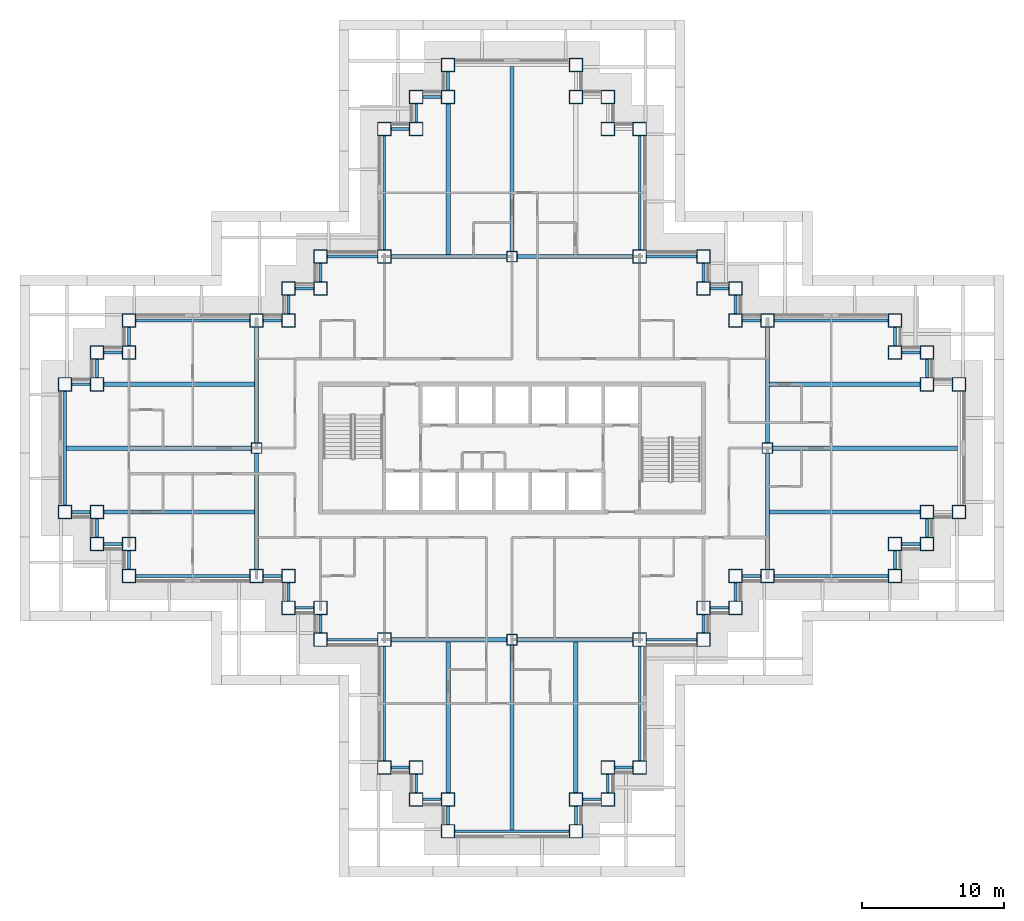
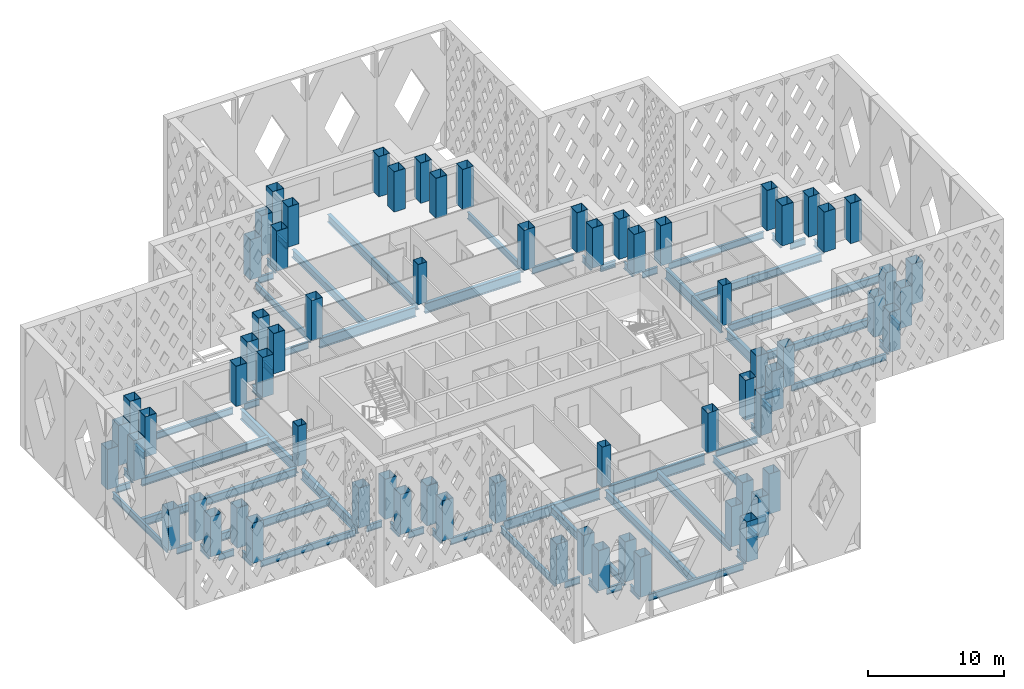
# One storey, part 1 of 19: 75 beams, 68 columns.
"""IFC4 building model written with IfcOpenShell, lengths in metres."""

from ifc_helpers import new_model, si_unit, direction, frame, origin, origin_2d, place, context, subcontext, project, spatial, hollow_rectangle, i_section, extrude, material, material_profile, profile_set, type_object, element, save


model = new_model("IFC4")

# Units and contexts
model_context = context("Model", 3, precision=1e-05, world=origin(), true_north=direction((0.0, 1.0)))
body_context = subcontext(model_context, "Body", "Model", "MODEL_VIEW")
ifc_project = project(units=[si_unit("LENGTHUNIT", "METRE"), si_unit("AREAUNIT", "SQUARE_METRE"), si_unit("VOLUMEUNIT", "CUBIC_METRE"), si_unit("PLANEANGLEUNIT", "RADIAN"), si_unit("MASSUNIT", "GRAM", prefix="KILO")], contexts=[model_context])

# Site, building, storey
site_placement = place(None, origin())
site = spatial("IfcSite", under=ifc_project, at=site_placement, CompositionType="ELEMENT")
building_placement = place(site_placement, origin())
building = spatial("IfcBuilding", under=site, at=building_placement, Name="Caravel Reach Hotel and Residences", CompositionType="ELEMENT")
storey_placement = place(building_placement, frame((0.0, 0.0, 85.199951171875)))
storey = spatial("IfcBuildingStorey", under=building, at=storey_placement, Name="L20", CompositionType="ELEMENT", Elevation=85.199951171875)

# Columns
ifc_material_1 = material(Name="Concrete-filled steel tube Q390B with Concrete C70 infill", Category="concrete")
ifc_material_profile_1 = material_profile(ifc_material_1, hollow_rectangle(XDim=0.75, YDim=0.75, WallThickness=0.02392578125, at=origin_2d()), Name="RHS 750x750x24")
ifc_profile_set_1 = profile_set([ifc_material_profile_1], Name="Concrete-filled steel tube Q390B with Concrete C70 infill")
column_type_1 = type_object("IfcColumnType", Name="CFT 750x750 Q390B C70", PredefinedType="COLUMN", material=ifc_profile_set_1)
for number, where, z_axis, x_axis, name in (
    (1, (31.5, 40.5, 0.0), (0.0, 0.0, 1.0), (1.0, 0.0, 0.0), "C16 column"),
    (2, (31.5, 13.5, 0.0), (0.0, 0.0, 1.0), (1.0, 0.0, 0.0), "C16 column"),
    (3, (13.5, 27.0, 0.0), (0.0, 0.0, 1.0), (1.0, 0.0, 0.0), "C16 column"),
    (4, (49.5, 27.0, 0.0), (0.0, 0.0, 1.0), (1.0, 0.0, 0.0), "C16 column"),
):
    element("IfcColumn", number, at=place(storey_placement, frame(where, z_axis=z_axis, x_axis=x_axis)), inside=storey, type_object=column_type_1, Name=name, PredefinedType="COLUMN", context=body_context, shape_type="SweptSolid", body=[
        extrude(hollow_rectangle(XDim=0.75, YDim=0.75, WallThickness=0.02392578125, at=origin_2d()), origin(), (0.0, 0.0, 1.0), 3.60009765625),
    ])
ifc_material_2 = material(Name="Concrete-filled steel tube Q390B with Concrete C70 infill", Category="concrete")
ifc_material_profile_2 = material_profile(ifc_material_2, hollow_rectangle(XDim=0.949951171875, YDim=0.949951171875, WallThickness=0.030029296875, at=origin_2d()), Name="RHS 950x950x30")
ifc_profile_set_2 = profile_set([ifc_material_profile_2], Name="Concrete-filled steel tube Q390B with Concrete C70 infill")
column_type_2 = type_object("IfcColumnType", Name="CFT 950x950 Q390B C70", PredefinedType="COLUMN", material=ifc_profile_set_2)
for number, where, z_axis, x_axis, name in (
    (5, (22.5, 4.5, 0.0), (0.0, 0.0, 1.0), (1.0, 0.0, 0.0), "C12 column"),
    (6, (24.75, 4.5, 0.0), (0.0, 0.0, 1.0), (1.0, 0.0, 0.0), "C12 column"),
    (7, (24.75, 2.25, 0.0), (0.0, 0.0, 1.0), (1.0, 0.0, 0.0), "C12 column"),
    (8, (27.0, 2.25, 0.0), (0.0, 0.0, 1.0), (1.0, 0.0, 0.0), "C12 column"),
    (9, (27.0, 0.0, 0.0), (0.0, 0.0, 1.0), (1.0, 0.0, 0.0), "C12 column"),
    (10, (36.0, 0.0, 0.0), (0.0, 0.0, 1.0), (1.0, 0.0, 0.0), "C12 column"),
    (11, (36.0, 2.25, 0.0), (0.0, 0.0, 1.0), (1.0, 0.0, 0.0), "C12 column"),
    (12, (38.25, 2.25, 0.0), (0.0, 0.0, 1.0), (1.0, 0.0, 0.0), "C12 column"),
    (13, (38.25, 4.5, 0.0), (0.0, 0.0, 1.0), (1.0, 0.0, 0.0), "C12 column"),
    (14, (40.5, 4.5, 0.0), (0.0, 0.0, 1.0), (1.0, 0.0, 0.0), "C12 column"),
    (15, (40.5, 13.5, 0.0), (0.0, 0.0, 1.0), (1.0, 0.0, 0.0), "C12 column"),
    (16, (45.0, 13.5, 0.0), (0.0, 0.0, 1.0), (1.0, 0.0, 0.0), "C12 column"),
    (17, (45.0, 15.75, 0.0), (0.0, 0.0, 1.0), (1.0, 0.0, 0.0), "C12 column"),
    (18, (47.25, 15.75, 0.0), (0.0, 0.0, 1.0), (1.0, 0.0, 0.0), "C12 column"),
    (19, (47.25, 18.0, 0.0), (0.0, 0.0, 1.0), (1.0, 0.0, 0.0), "C12 column"),
    (20, (49.5, 18.0, 0.0), (0.0, 0.0, 1.0), (1.0, 0.0, 0.0), "C12 column"),
    (21, (58.5, 18.0, 0.0), (0.0, 0.0, 1.0), (1.0, 0.0, 0.0), "C12 column"),
    (22, (58.5, 20.25, 0.0), (0.0, 0.0, 1.0), (1.0, 0.0, 0.0), "C12 column"),
    (23, (60.75, 20.25, 0.0), (0.0, 0.0, 1.0), (1.0, 0.0, 0.0), "C12 column"),
    (24, (60.75, 22.5, 0.0), (0.0, 0.0, 1.0), (1.0, 0.0, 0.0), "C12 column"),
    (25, (63.0, 22.5, 0.0), (0.0, 0.0, 1.0), (1.0, 0.0, 0.0), "C12 column"),
    (26, (63.0, 31.5, 0.0), (0.0, 0.0, 1.0), (1.0, 0.0, 0.0), "C12 column"),
    (27, (60.75, 31.5, 0.0), (0.0, 0.0, 1.0), (1.0, 0.0, 0.0), "C12 column"),
    (28, (60.75, 33.75, 0.0), (0.0, 0.0, 1.0), (1.0, 0.0, 0.0), "C12 column"),
    (29, (58.5, 33.75, 0.0), (0.0, 0.0, 1.0), (1.0, 0.0, 0.0), "C12 column"),
    (30, (58.5, 36.0, 0.0), (0.0, 0.0, 1.0), (1.0, 0.0, 0.0), "C12 column"),
    (31, (49.5, 36.0, 0.0), (0.0, 0.0, 1.0), (1.0, 0.0, 0.0), "C12 column"),
    (32, (47.25, 36.0, 0.0), (0.0, 0.0, 1.0), (1.0, 0.0, 0.0), "C12 column"),
    (33, (47.25, 38.25, 0.0), (0.0, 0.0, 1.0), (1.0, 0.0, 0.0), "C12 column"),
    (34, (45.0, 38.25, 0.0), (0.0, 0.0, 1.0), (1.0, 0.0, 0.0), "C12 column"),
    (35, (45.0, 40.5, 0.0), (0.0, 0.0, 1.0), (1.0, 0.0, 0.0), "C12 column"),
    (36, (40.5, 40.5, 0.0), (0.0, 0.0, 1.0), (1.0, 0.0, 0.0), "C12 column"),
    (37, (40.5, 49.5, 0.0), (0.0, 0.0, 1.0), (1.0, 0.0, 0.0), "C12 column"),
    (38, (38.25, 49.5, 0.0), (0.0, 0.0, 1.0), (1.0, 0.0, 0.0), "C12 column"),
    (39, (38.25, 51.75, 0.0), (0.0, 0.0, 1.0), (1.0, 0.0, 0.0), "C12 column"),
    (40, (36.0, 51.75, 0.0), (0.0, 0.0, 1.0), (1.0, 0.0, 0.0), "C12 column"),
    (41, (36.0, 54.0, 0.0), (0.0, 0.0, 1.0), (1.0, 0.0, 0.0), "C12 column"),
    (42, (27.0, 54.0, 0.0), (0.0, 0.0, 1.0), (1.0, 0.0, 0.0), "C12 column"),
    (43, (27.0, 51.75, 0.0), (0.0, 0.0, 1.0), (1.0, 0.0, 0.0), "C12 column"),
    (44, (24.75, 51.75, 0.0), (0.0, 0.0, 1.0), (1.0, 0.0, 0.0), "C12 column"),
    (45, (24.75, 49.5, 0.0), (0.0, 0.0, 1.0), (1.0, 0.0, 0.0), "C12 column"),
    (46, (22.5, 49.5, 0.0), (0.0, 0.0, 1.0), (1.0, 0.0, 0.0), "C12 column"),
    (47, (22.5, 40.5, 0.0), (0.0, 0.0, 1.0), (1.0, 0.0, 0.0), "C12 column"),
    (48, (18.0, 40.5, 0.0), (0.0, 0.0, 1.0), (1.0, 0.0, 0.0), "C12 column"),
    (49, (18.0, 38.25, 0.0), (0.0, 0.0, 1.0), (1.0, 0.0, 0.0), "C12 column"),
    (50, (15.75, 38.25, 0.0), (0.0, 0.0, 1.0), (1.0, 0.0, 0.0), "C12 column"),
    (51, (15.75, 36.0, 0.0), (0.0, 0.0, 1.0), (1.0, 0.0, 0.0), "C12 column"),
    (52, (13.5, 36.0, 0.0), (0.0, 0.0, 1.0), (1.0, 0.0, 0.0), "C12 column"),
    (53, (4.5, 36.0, 0.0), (0.0, 0.0, 1.0), (1.0, 0.0, 0.0), "C12 column"),
    (54, (4.5, 33.75, 0.0), (0.0, 0.0, 1.0), (1.0, 0.0, 0.0), "C12 column"),
    (55, (2.25, 33.75, 0.0), (0.0, 0.0, 1.0), (1.0, 0.0, 0.0), "C12 column"),
    (56, (2.25, 31.5, 0.0), (0.0, 0.0, 1.0), (1.0, 0.0, 0.0), "C12 column"),
    (57, (0.0, 31.5, 0.0), (0.0, 0.0, 1.0), (1.0, 0.0, 0.0), "C12 column"),
    (58, (0.0, 22.5, 0.0), (0.0, 0.0, 1.0), (1.0, 0.0, 0.0), "C12 column"),
    (59, (2.25, 22.5, 0.0), (0.0, 0.0, 1.0), (1.0, 0.0, 0.0), "C12 column"),
    (60, (2.25, 20.25, 0.0), (0.0, 0.0, 1.0), (1.0, 0.0, 0.0), "C12 column"),
    (61, (4.5, 20.25, 0.0), (0.0, 0.0, 1.0), (1.0, 0.0, 0.0), "C12 column"),
    (62, (4.5, 18.0, 0.0), (0.0, 0.0, 1.0), (1.0, 0.0, 0.0), "C12 column"),
    (63, (13.5, 18.0, 0.0), (0.0, 0.0, 1.0), (1.0, 0.0, 0.0), "C12 column"),
    (64, (15.75, 18.0, 0.0), (0.0, 0.0, 1.0), (1.0, 0.0, 0.0), "C12 column"),
    (65, (15.75, 15.75, 0.0), (0.0, 0.0, 1.0), (1.0, 0.0, 0.0), "C12 column"),
    (66, (18.0, 15.75, 0.0), (0.0, 0.0, 1.0), (1.0, 0.0, 0.0), "C12 column"),
    (67, (18.0, 13.5, 0.0), (0.0, 0.0, 1.0), (1.0, 0.0, 0.0), "C12 column"),
    (68, (22.5, 13.5, 0.0), (0.0, 0.0, 1.0), (1.0, 0.0, 0.0), "C12 column"),
):
    element("IfcColumn", number, at=place(storey_placement, frame(where, z_axis=z_axis, x_axis=x_axis)), inside=storey, type_object=column_type_2, Name=name, PredefinedType="COLUMN", context=body_context, shape_type="SweptSolid", body=[
        extrude(hollow_rectangle(XDim=0.949951171875, YDim=0.949951171875, WallThickness=0.030029296875, at=origin_2d()), origin(), (0.0, 0.0, 1.0), 3.60009765625),
    ])

# Beams
ifc_material_3 = material(Name="Structural steel Q355B", Category="steel")
ifc_material_profile_3 = material_profile(ifc_material_3, i_section(OverallWidth=0.300048828125, OverallDepth=0.699951171875, WebThickness=0.012939453125, FlangeThickness=0.02392578125, FilletRadius=0.01806640625, at=origin_2d()), Name="HN 700x300x13x24")
ifc_profile_set_3 = profile_set([ifc_material_profile_3], Name="Structural steel Q355B")
beam_type_1 = type_object("IfcBeamType", Name="Beam HN 700x300x13x24", PredefinedType="BEAM", material=ifc_profile_set_3)
beam_1_placement = place(storey_placement, frame((27.0, 40.60009765625, -0.64990234375), z_axis=(0.0, 1.0, 0.0), x_axis=(-1.0, 0.0, 0.0)))
element("IfcBeam", 69, at=beam_1_placement, inside=storey, type_object=beam_type_1, Name="B2 HN 700x300x13x24", PredefinedType="BEAM", context=body_context, shape_type="SweptSolid", body=[
    extrude(i_section(OverallWidth=0.300048828125, OverallDepth=0.699951171875, WebThickness=0.012939453125, FlangeThickness=0.02392578125, FilletRadius=0.01806640625, at=origin_2d()), origin(), (0.0, 0.0, 1.0), 10.724853515625),
])
beam_2_placement = place(storey_placement, frame((31.5, 40.824951171875, -0.64990234375), z_axis=(0.0, 1.0, 0.0), x_axis=(-1.0, 0.0, 0.0)))
element("IfcBeam", 70, at=beam_2_placement, inside=storey, type_object=beam_type_1, Name="B2 HN 700x300x13x24", PredefinedType="BEAM", context=body_context, shape_type="SweptSolid", body=[
    extrude(i_section(OverallWidth=0.300048828125, OverallDepth=0.699951171875, WebThickness=0.012939453125, FlangeThickness=0.02392578125, FilletRadius=0.01806640625, at=origin_2d()), origin(), (0.0, 0.0, 1.0), 13.074951171875),
])
beam_3_placement = place(storey_placement, frame((27.0, 13.39990234375, -0.64990234375), z_axis=(0.0, -1.0, 0.0), x_axis=(1.0, 0.0, 0.0)))
element("IfcBeam", 71, at=beam_3_placement, inside=storey, type_object=beam_type_1, Name="B2 HN 700x300x13x24", PredefinedType="BEAM", context=body_context, shape_type="SweptSolid", body=[
    extrude(i_section(OverallWidth=0.300048828125, OverallDepth=0.699951171875, WebThickness=0.012939453125, FlangeThickness=0.02392578125, FilletRadius=0.01806640625, at=origin_2d()), origin(), (0.0, 0.0, 1.0), 10.724853515625),
])
beam_4_placement = place(storey_placement, frame((31.5, 13.175048828125, -0.64990234375), z_axis=(0.0, -1.0, 0.0), x_axis=(1.0, 0.0, 0.0)))
element("IfcBeam", 72, at=beam_4_placement, inside=storey, type_object=beam_type_1, Name="B2 HN 700x300x13x24", PredefinedType="BEAM", context=body_context, shape_type="SweptSolid", body=[
    extrude(i_section(OverallWidth=0.300048828125, OverallDepth=0.699951171875, WebThickness=0.012939453125, FlangeThickness=0.02392578125, FilletRadius=0.01806640625, at=origin_2d()), origin(), (0.0, 0.0, 1.0), 13.074951171875),
])
for number, where, z_axis, x_axis, name in (
    (73, (36.0, 13.39990234375, -0.64990234375), (0.0, -1.0, 0.0), (1.0, 0.0, 0.0), "B2 HN 700x300x13x24"),
    (74, (49.60009765625, 22.5, -0.64990234375), (1.0, 0.0, 0.0), (0.0, 1.0, 0.0), "B2 HN 700x300x13x24"),
):
    element("IfcBeam", number, at=place(storey_placement, frame(where, z_axis=z_axis, x_axis=x_axis)), inside=storey, type_object=beam_type_1, Name=name, PredefinedType="BEAM", context=body_context, shape_type="SweptSolid", body=[
        extrude(i_section(OverallWidth=0.300048828125, OverallDepth=0.699951171875, WebThickness=0.012939453125, FlangeThickness=0.02392578125, FilletRadius=0.01806640625, at=origin_2d()), origin(), (0.0, 0.0, 1.0), 10.724853515625),
    ])
beam_5_placement = place(storey_placement, frame((49.824951171875, 27.0, -0.64990234375), z_axis=(1.0, 0.0, 0.0), x_axis=(0.0, 1.0, 0.0)))
element("IfcBeam", 75, at=beam_5_placement, inside=storey, type_object=beam_type_1, Name="B2 HN 700x300x13x24", PredefinedType="BEAM", context=body_context, shape_type="SweptSolid", body=[
    extrude(i_section(OverallWidth=0.300048828125, OverallDepth=0.699951171875, WebThickness=0.012939453125, FlangeThickness=0.02392578125, FilletRadius=0.01806640625, at=origin_2d()), origin(), (0.0, 0.0, 1.0), 13.074951171875),
])
for number, where, z_axis, x_axis, name in (
    (76, (49.60009765625, 31.5, -0.64990234375), (1.0, 0.0, 0.0), (0.0, 1.0, 0.0), "B2 HN 700x300x13x24"),
    (77, (13.39990234375, 22.5, -0.64990234375), (-1.0, 0.0, 0.0), (0.0, -1.0, 0.0), "B2 HN 700x300x13x24"),
):
    element("IfcBeam", number, at=place(storey_placement, frame(where, z_axis=z_axis, x_axis=x_axis)), inside=storey, type_object=beam_type_1, Name=name, PredefinedType="BEAM", context=body_context, shape_type="SweptSolid", body=[
        extrude(i_section(OverallWidth=0.300048828125, OverallDepth=0.699951171875, WebThickness=0.012939453125, FlangeThickness=0.02392578125, FilletRadius=0.01806640625, at=origin_2d()), origin(), (0.0, 0.0, 1.0), 10.724853515625),
    ])
beam_6_placement = place(storey_placement, frame((13.175048828125, 27.0, -0.64990234375), z_axis=(-1.0, 0.0, 0.0), x_axis=(0.0, -1.0, 0.0)))
element("IfcBeam", 78, at=beam_6_placement, inside=storey, type_object=beam_type_1, Name="B2 HN 700x300x13x24", PredefinedType="BEAM", context=body_context, shape_type="SweptSolid", body=[
    extrude(i_section(OverallWidth=0.300048828125, OverallDepth=0.699951171875, WebThickness=0.012939453125, FlangeThickness=0.02392578125, FilletRadius=0.01806640625, at=origin_2d()), origin(), (0.0, 0.0, 1.0), 13.074951171875),
])
beam_7_placement = place(storey_placement, frame((13.39990234375, 31.5, -0.64990234375), z_axis=(-1.0, 0.0, 0.0), x_axis=(0.0, -1.0, 0.0)))
element("IfcBeam", 79, at=beam_7_placement, inside=storey, type_object=beam_type_1, Name="B2 HN 700x300x13x24", PredefinedType="BEAM", context=body_context, shape_type="SweptSolid", body=[
    extrude(i_section(OverallWidth=0.300048828125, OverallDepth=0.699951171875, WebThickness=0.012939453125, FlangeThickness=0.02392578125, FilletRadius=0.01806640625, at=origin_2d()), origin(), (0.0, 0.0, 1.0), 10.724853515625),
])
ifc_material_4 = material(Name="Structural steel Q355B", Category="steel")
ifc_material_profile_4 = material_profile(ifc_material_4, i_section(OverallWidth=0.300048828125, OverallDepth=0.89990234375, WebThickness=0.01611328125, FlangeThickness=0.028076171875, FilletRadius=0.01806640625, at=origin_2d()), Name="HN 900x300x16x28")
ifc_profile_set_4 = profile_set([ifc_material_profile_4], Name="Structural steel Q355B")
beam_type_2 = type_object("IfcBeamType", Name="Beam HN 900x300x16x28", PredefinedType="BEAM", material=ifc_profile_set_4)
for number, where, z_axis, x_axis, name in (
    (80, (22.97509765625, 40.5, -0.75), (1.0, 0.0, 0.0), (0.0, 1.0, 0.0), "B3 HN 900x300x16x28"),
    (81, (31.875, 40.5, -0.75), (1.0, 0.0, 0.0), (0.0, 1.0, 0.0), "B3 HN 900x300x16x28"),
    (82, (22.97509765625, 13.5, -0.75), (1.0, 0.0, 0.0), (0.0, 1.0, 0.0), "B3 HN 900x300x16x28"),
    (83, (31.875, 13.5, -0.75), (1.0, 0.0, 0.0), (0.0, 1.0, 0.0), "B3 HN 900x300x16x28"),
    (84, (13.5, 18.47509765625, -0.75), (0.0, 1.0, 0.0), (-1.0, 0.0, 0.0), "B3 HN 900x300x16x28"),
    (85, (13.5, 27.375, -0.75), (0.0, 1.0, 0.0), (-1.0, 0.0, 0.0), "B3 HN 900x300x16x28"),
    (86, (49.5, 18.47509765625, -0.75), (0.0, 1.0, 0.0), (-1.0, 0.0, 0.0), "B3 HN 900x300x16x28"),
    (87, (49.5, 27.375, -0.75), (0.0, 1.0, 0.0), (-1.0, 0.0, 0.0), "B3 HN 900x300x16x28"),
):
    element("IfcBeam", number, at=place(storey_placement, frame(where, z_axis=z_axis, x_axis=x_axis)), inside=storey, type_object=beam_type_2, Name=name, PredefinedType="BEAM", context=body_context, shape_type="SweptSolid", body=[
        extrude(i_section(OverallWidth=0.300048828125, OverallDepth=0.89990234375, WebThickness=0.01611328125, FlangeThickness=0.028076171875, FilletRadius=0.01806640625, at=origin_2d()), origin(), (0.0, 0.0, 1.0), 8.14990234375),
    ])
ifc_material_5 = material(Name="Structural steel Q355B", Category="steel")
ifc_material_profile_5 = material_profile(ifc_material_5, i_section(OverallWidth=0.199951171875, OverallDepth=0.60009765625, WebThickness=0.010986328125, FlangeThickness=0.01708984375, FilletRadius=0.012939453125, at=origin_2d()), Name="HN 600x200x11x17")
ifc_profile_set_5 = profile_set([ifc_material_profile_5], Name="Structural steel Q355B")
beam_type_3 = type_object("IfcBeamType", Name="Spandrel beam HN 600x200x11x17", PredefinedType="SPANDREL", material=ifc_profile_set_5)
for number, where, z_axis, x_axis, name in (
    (88, (22.97509765625, 4.5, -0.599853515625), (1.0, 0.0, 0.0), (0.0, 1.0, 0.0), "SP1 HN 600x200x11x17"),
    (89, (24.75, 4.02490234375, -0.599853515625), (0.0, -1.0, 0.0), (1.0, 0.0, 0.0), "SP1 HN 600x200x11x17"),
    (90, (25.22509765625, 2.25, -0.599853515625), (1.0, 0.0, 0.0), (0.0, 1.0, 0.0), "SP1 HN 600x200x11x17"),
    (91, (27.0, 1.77490234375, -0.599853515625), (0.0, -1.0, 0.0), (1.0, 0.0, 0.0), "SP1 HN 600x200x11x17"),
):
    element("IfcBeam", number, at=place(storey_placement, frame(where, z_axis=z_axis, x_axis=x_axis)), inside=storey, type_object=beam_type_3, Name=name, PredefinedType="SPANDREL", context=body_context, shape_type="SweptSolid", body=[
        extrude(i_section(OverallWidth=0.199951171875, OverallDepth=0.60009765625, WebThickness=0.010986328125, FlangeThickness=0.01708984375, FilletRadius=0.012939453125, at=origin_2d()), origin(), (0.0, 0.0, 1.0), 1.2998046875),
    ])
beam_8_placement = place(storey_placement, frame((27.47509765625, 0.0, -0.599853515625), z_axis=(1.0, 0.0, 0.0), x_axis=(0.0, 1.0, 0.0)))
element("IfcBeam", 92, at=beam_8_placement, inside=storey, type_object=beam_type_3, Name="SP1 HN 600x200x11x17", PredefinedType="SPANDREL", context=body_context, shape_type="SweptSolid", body=[
    extrude(i_section(OverallWidth=0.199951171875, OverallDepth=0.60009765625, WebThickness=0.010986328125, FlangeThickness=0.01708984375, FilletRadius=0.012939453125, at=origin_2d()), origin(), (0.0, 0.0, 1.0), 8.0498046875),
])
for number, where, z_axis, x_axis, name in (
    (93, (36.0, 0.47509765625, -0.599853515625), (0.0, 1.0, 0.0), (-1.0, 0.0, 0.0), "SP1 HN 600x200x11x17"),
    (94, (36.47509765625, 2.25, -0.599853515625), (1.0, 0.0, 0.0), (0.0, 1.0, 0.0), "SP1 HN 600x200x11x17"),
    (95, (38.25, 2.72509765625, -0.599853515625), (0.0, 1.0, 0.0), (-1.0, 0.0, 0.0), "SP1 HN 600x200x11x17"),
    (96, (38.72509765625, 4.5, -0.599853515625), (1.0, 0.0, 0.0), (0.0, 1.0, 0.0), "SP1 HN 600x200x11x17"),
):
    element("IfcBeam", number, at=place(storey_placement, frame(where, z_axis=z_axis, x_axis=x_axis)), inside=storey, type_object=beam_type_3, Name=name, PredefinedType="SPANDREL", context=body_context, shape_type="SweptSolid", body=[
        extrude(i_section(OverallWidth=0.199951171875, OverallDepth=0.60009765625, WebThickness=0.010986328125, FlangeThickness=0.01708984375, FilletRadius=0.012939453125, at=origin_2d()), origin(), (0.0, 0.0, 1.0), 1.2998046875),
    ])
beam_9_placement = place(storey_placement, frame((40.5, 4.97509765625, -0.599853515625), z_axis=(0.0, 1.0, 0.0), x_axis=(-1.0, 0.0, 0.0)))
element("IfcBeam", 97, at=beam_9_placement, inside=storey, type_object=beam_type_3, Name="SP1 HN 600x200x11x17", PredefinedType="SPANDREL", context=body_context, shape_type="SweptSolid", body=[
    extrude(i_section(OverallWidth=0.199951171875, OverallDepth=0.60009765625, WebThickness=0.010986328125, FlangeThickness=0.01708984375, FilletRadius=0.012939453125, at=origin_2d()), origin(), (0.0, 0.0, 1.0), 8.0498046875),
])
beam_10_placement = place(storey_placement, frame((40.97509765625, 13.5, -0.599853515625), z_axis=(1.0, 0.0, 0.0), x_axis=(0.0, 1.0, 0.0)))
element("IfcBeam", 98, at=beam_10_placement, inside=storey, type_object=beam_type_3, Name="SP1 HN 600x200x11x17", PredefinedType="SPANDREL", context=body_context, shape_type="SweptSolid", body=[
    extrude(i_section(OverallWidth=0.199951171875, OverallDepth=0.60009765625, WebThickness=0.010986328125, FlangeThickness=0.01708984375, FilletRadius=0.012939453125, at=origin_2d()), origin(), (0.0, 0.0, 1.0), 3.5498046875),
])
for number, where, z_axis, x_axis, name in (
    (99, (45.0, 13.97509765625, -0.599853515625), (0.0, 1.0, 0.0), (-1.0, 0.0, 0.0), "SP1 HN 600x200x11x17"),
    (100, (45.47509765625, 15.75, -0.599853515625), (1.0, 0.0, 0.0), (0.0, 1.0, 0.0), "SP1 HN 600x200x11x17"),
    (101, (47.25, 16.22509765625, -0.599853515625), (0.0, 1.0, 0.0), (-1.0, 0.0, 0.0), "SP1 HN 600x200x11x17"),
    (102, (47.72509765625, 18.0, -0.599853515625), (1.0, 0.0, 0.0), (0.0, 1.0, 0.0), "SP1 HN 600x200x11x17"),
):
    element("IfcBeam", number, at=place(storey_placement, frame(where, z_axis=z_axis, x_axis=x_axis)), inside=storey, type_object=beam_type_3, Name=name, PredefinedType="SPANDREL", context=body_context, shape_type="SweptSolid", body=[
        extrude(i_section(OverallWidth=0.199951171875, OverallDepth=0.60009765625, WebThickness=0.010986328125, FlangeThickness=0.01708984375, FilletRadius=0.012939453125, at=origin_2d()), origin(), (0.0, 0.0, 1.0), 1.2998046875),
    ])
beam_11_placement = place(storey_placement, frame((49.97509765625, 18.0, -0.599853515625), z_axis=(1.0, 0.0, 0.0), x_axis=(0.0, 1.0, 0.0)))
element("IfcBeam", 103, at=beam_11_placement, inside=storey, type_object=beam_type_3, Name="SP1 HN 600x200x11x17", PredefinedType="SPANDREL", context=body_context, shape_type="SweptSolid", body=[
    extrude(i_section(OverallWidth=0.199951171875, OverallDepth=0.60009765625, WebThickness=0.010986328125, FlangeThickness=0.01708984375, FilletRadius=0.012939453125, at=origin_2d()), origin(), (0.0, 0.0, 1.0), 8.0498046875),
])
for number, where, z_axis, x_axis, name in (
    (104, (58.5, 18.47509765625, -0.599853515625), (0.0, 1.0, 0.0), (-1.0, 0.0, 0.0), "SP1 HN 600x200x11x17"),
    (105, (58.97509765625, 20.25, -0.599853515625), (1.0, 0.0, 0.0), (0.0, 1.0, 0.0), "SP1 HN 600x200x11x17"),
    (106, (60.75, 20.72509765625, -0.599853515625), (0.0, 1.0, 0.0), (-1.0, 0.0, 0.0), "SP1 HN 600x200x11x17"),
    (107, (60.75, 31.97509765625, -0.599853515625), (0.0, 1.0, 0.0), (-1.0, 0.0, 0.0), "SP1 HN 600x200x11x17"),
    (108, (60.27490234375, 33.75, -0.599853515625), (-1.0, 0.0, 0.0), (0.0, -1.0, 0.0), "SP1 HN 600x200x11x17"),
    (109, (58.5, 34.22509765625, -0.599853515625), (0.0, 1.0, 0.0), (-1.0, 0.0, 0.0), "SP1 HN 600x200x11x17"),
):
    element("IfcBeam", number, at=place(storey_placement, frame(where, z_axis=z_axis, x_axis=x_axis)), inside=storey, type_object=beam_type_3, Name=name, PredefinedType="SPANDREL", context=body_context, shape_type="SweptSolid", body=[
        extrude(i_section(OverallWidth=0.199951171875, OverallDepth=0.60009765625, WebThickness=0.010986328125, FlangeThickness=0.01708984375, FilletRadius=0.012939453125, at=origin_2d()), origin(), (0.0, 0.0, 1.0), 1.2998046875),
    ])
beam_12_placement = place(storey_placement, frame((58.02490234375, 36.0, -0.599853515625), z_axis=(-1.0, 0.0, 0.0), x_axis=(0.0, -1.0, 0.0)))
element("IfcBeam", 110, at=beam_12_placement, inside=storey, type_object=beam_type_3, Name="SP1 HN 600x200x11x17", PredefinedType="SPANDREL", context=body_context, shape_type="SweptSolid", body=[
    extrude(i_section(OverallWidth=0.199951171875, OverallDepth=0.60009765625, WebThickness=0.010986328125, FlangeThickness=0.01708984375, FilletRadius=0.012939453125, at=origin_2d()), origin(), (0.0, 0.0, 1.0), 8.0498046875),
])
for number, where, z_axis, x_axis, name in (
    (111, (49.02490234375, 36.0, -0.599853515625), (-1.0, 0.0, 0.0), (0.0, -1.0, 0.0), "SP1 HN 600x200x11x17"),
    (112, (47.25, 36.47509765625, -0.599853515625), (0.0, 1.0, 0.0), (-1.0, 0.0, 0.0), "SP1 HN 600x200x11x17"),
    (113, (46.77490234375, 38.25, -0.599853515625), (-1.0, 0.0, 0.0), (0.0, -1.0, 0.0), "SP1 HN 600x200x11x17"),
    (114, (45.0, 38.72509765625, -0.599853515625), (0.0, 1.0, 0.0), (-1.0, 0.0, 0.0), "SP1 HN 600x200x11x17"),
):
    element("IfcBeam", number, at=place(storey_placement, frame(where, z_axis=z_axis, x_axis=x_axis)), inside=storey, type_object=beam_type_3, Name=name, PredefinedType="SPANDREL", context=body_context, shape_type="SweptSolid", body=[
        extrude(i_section(OverallWidth=0.199951171875, OverallDepth=0.60009765625, WebThickness=0.010986328125, FlangeThickness=0.01708984375, FilletRadius=0.012939453125, at=origin_2d()), origin(), (0.0, 0.0, 1.0), 1.2998046875),
    ])
beam_13_placement = place(storey_placement, frame((44.52490234375, 40.5, -0.599853515625), z_axis=(-1.0, 0.0, 0.0), x_axis=(0.0, -1.0, 0.0)))
element("IfcBeam", 115, at=beam_13_placement, inside=storey, type_object=beam_type_3, Name="SP1 HN 600x200x11x17", PredefinedType="SPANDREL", context=body_context, shape_type="SweptSolid", body=[
    extrude(i_section(OverallWidth=0.199951171875, OverallDepth=0.60009765625, WebThickness=0.010986328125, FlangeThickness=0.01708984375, FilletRadius=0.012939453125, at=origin_2d()), origin(), (0.0, 0.0, 1.0), 3.5498046875),
])
beam_14_placement = place(storey_placement, frame((40.5, 40.97509765625, -0.599853515625), z_axis=(0.0, 1.0, 0.0), x_axis=(-1.0, 0.0, 0.0)))
element("IfcBeam", 116, at=beam_14_placement, inside=storey, type_object=beam_type_3, Name="SP1 HN 600x200x11x17", PredefinedType="SPANDREL", context=body_context, shape_type="SweptSolid", body=[
    extrude(i_section(OverallWidth=0.199951171875, OverallDepth=0.60009765625, WebThickness=0.010986328125, FlangeThickness=0.01708984375, FilletRadius=0.012939453125, at=origin_2d()), origin(), (0.0, 0.0, 1.0), 8.0498046875),
])
for number, where, z_axis, x_axis, name in (
    (117, (27.0, 53.52490234375, -0.599853515625), (0.0, -1.0, 0.0), (1.0, 0.0, 0.0), "SP1 HN 600x200x11x17"),
    (118, (26.52490234375, 51.75, -0.599853515625), (-1.0, 0.0, 0.0), (0.0, -1.0, 0.0), "SP1 HN 600x200x11x17"),
    (119, (24.75, 51.27490234375, -0.599853515625), (0.0, -1.0, 0.0), (1.0, 0.0, 0.0), "SP1 HN 600x200x11x17"),
    (120, (24.27490234375, 49.5, -0.599853515625), (-1.0, 0.0, 0.0), (0.0, -1.0, 0.0), "SP1 HN 600x200x11x17"),
):
    element("IfcBeam", number, at=place(storey_placement, frame(where, z_axis=z_axis, x_axis=x_axis)), inside=storey, type_object=beam_type_3, Name=name, PredefinedType="SPANDREL", context=body_context, shape_type="SweptSolid", body=[
        extrude(i_section(OverallWidth=0.199951171875, OverallDepth=0.60009765625, WebThickness=0.010986328125, FlangeThickness=0.01708984375, FilletRadius=0.012939453125, at=origin_2d()), origin(), (0.0, 0.0, 1.0), 1.2998046875),
    ])
beam_15_placement = place(storey_placement, frame((22.5, 49.02490234375, -0.599853515625), z_axis=(0.0, -1.0, 0.0), x_axis=(1.0, 0.0, 0.0)))
element("IfcBeam", 121, at=beam_15_placement, inside=storey, type_object=beam_type_3, Name="SP1 HN 600x200x11x17", PredefinedType="SPANDREL", context=body_context, shape_type="SweptSolid", body=[
    extrude(i_section(OverallWidth=0.199951171875, OverallDepth=0.60009765625, WebThickness=0.010986328125, FlangeThickness=0.01708984375, FilletRadius=0.012939453125, at=origin_2d()), origin(), (0.0, 0.0, 1.0), 8.0498046875),
])
beam_16_placement = place(storey_placement, frame((22.02490234375, 40.5, -0.599853515625), z_axis=(-1.0, 0.0, 0.0), x_axis=(0.0, -1.0, 0.0)))
element("IfcBeam", 122, at=beam_16_placement, inside=storey, type_object=beam_type_3, Name="SP1 HN 600x200x11x17", PredefinedType="SPANDREL", context=body_context, shape_type="SweptSolid", body=[
    extrude(i_section(OverallWidth=0.199951171875, OverallDepth=0.60009765625, WebThickness=0.010986328125, FlangeThickness=0.01708984375, FilletRadius=0.012939453125, at=origin_2d()), origin(), (0.0, 0.0, 1.0), 3.5498046875),
])
for number, where, z_axis, x_axis, name in (
    (123, (18.0, 40.02490234375, -0.599853515625), (0.0, -1.0, 0.0), (1.0, 0.0, 0.0), "SP1 HN 600x200x11x17"),
    (124, (17.52490234375, 38.25, -0.599853515625), (-1.0, 0.0, 0.0), (0.0, -1.0, 0.0), "SP1 HN 600x200x11x17"),
    (125, (15.75, 37.77490234375, -0.599853515625), (0.0, -1.0, 0.0), (1.0, 0.0, 0.0), "SP1 HN 600x200x11x17"),
    (126, (15.27490234375, 36.0, -0.599853515625), (-1.0, 0.0, 0.0), (0.0, -1.0, 0.0), "SP1 HN 600x200x11x17"),
):
    element("IfcBeam", number, at=place(storey_placement, frame(where, z_axis=z_axis, x_axis=x_axis)), inside=storey, type_object=beam_type_3, Name=name, PredefinedType="SPANDREL", context=body_context, shape_type="SweptSolid", body=[
        extrude(i_section(OverallWidth=0.199951171875, OverallDepth=0.60009765625, WebThickness=0.010986328125, FlangeThickness=0.01708984375, FilletRadius=0.012939453125, at=origin_2d()), origin(), (0.0, 0.0, 1.0), 1.2998046875),
    ])
beam_17_placement = place(storey_placement, frame((13.02490234375, 36.0, -0.599853515625), z_axis=(-1.0, 0.0, 0.0), x_axis=(0.0, -1.0, 0.0)))
element("IfcBeam", 127, at=beam_17_placement, inside=storey, type_object=beam_type_3, Name="SP1 HN 600x200x11x17", PredefinedType="SPANDREL", context=body_context, shape_type="SweptSolid", body=[
    extrude(i_section(OverallWidth=0.199951171875, OverallDepth=0.60009765625, WebThickness=0.010986328125, FlangeThickness=0.01708984375, FilletRadius=0.012939453125, at=origin_2d()), origin(), (0.0, 0.0, 1.0), 8.0498046875),
])
for number, where, z_axis, x_axis, name in (
    (128, (4.5, 35.52490234375, -0.599853515625), (0.0, -1.0, 0.0), (1.0, 0.0, 0.0), "SP1 HN 600x200x11x17"),
    (129, (4.02490234375, 33.75, -0.599853515625), (-1.0, 0.0, 0.0), (0.0, -1.0, 0.0), "SP1 HN 600x200x11x17"),
    (130, (2.25, 33.27490234375, -0.599853515625), (0.0, -1.0, 0.0), (1.0, 0.0, 0.0), "SP1 HN 600x200x11x17"),
    (131, (1.77490234375, 31.5, -0.599853515625), (-1.0, 0.0, 0.0), (0.0, -1.0, 0.0), "SP1 HN 600x200x11x17"),
):
    element("IfcBeam", number, at=place(storey_placement, frame(where, z_axis=z_axis, x_axis=x_axis)), inside=storey, type_object=beam_type_3, Name=name, PredefinedType="SPANDREL", context=body_context, shape_type="SweptSolid", body=[
        extrude(i_section(OverallWidth=0.199951171875, OverallDepth=0.60009765625, WebThickness=0.010986328125, FlangeThickness=0.01708984375, FilletRadius=0.012939453125, at=origin_2d()), origin(), (0.0, 0.0, 1.0), 1.2998046875),
    ])
beam_18_placement = place(storey_placement, frame((0.0, 31.02490234375, -0.599853515625), z_axis=(0.0, -1.0, 0.0), x_axis=(1.0, 0.0, 0.0)))
element("IfcBeam", 132, at=beam_18_placement, inside=storey, type_object=beam_type_3, Name="SP1 HN 600x200x11x17", PredefinedType="SPANDREL", context=body_context, shape_type="SweptSolid", body=[
    extrude(i_section(OverallWidth=0.199951171875, OverallDepth=0.60009765625, WebThickness=0.010986328125, FlangeThickness=0.01708984375, FilletRadius=0.012939453125, at=origin_2d()), origin(), (0.0, 0.0, 1.0), 8.0498046875),
])
for number, where, z_axis, x_axis, name in (
    (133, (0.47509765625, 22.5, -0.599853515625), (1.0, 0.0, 0.0), (0.0, 1.0, 0.0), "SP1 HN 600x200x11x17"),
    (134, (2.25, 22.02490234375, -0.599853515625), (0.0, -1.0, 0.0), (1.0, 0.0, 0.0), "SP1 HN 600x200x11x17"),
    (135, (2.72509765625, 20.25, -0.599853515625), (1.0, 0.0, 0.0), (0.0, 1.0, 0.0), "SP1 HN 600x200x11x17"),
    (136, (4.5, 19.77490234375, -0.599853515625), (0.0, -1.0, 0.0), (1.0, 0.0, 0.0), "SP1 HN 600x200x11x17"),
):
    element("IfcBeam", number, at=place(storey_placement, frame(where, z_axis=z_axis, x_axis=x_axis)), inside=storey, type_object=beam_type_3, Name=name, PredefinedType="SPANDREL", context=body_context, shape_type="SweptSolid", body=[
        extrude(i_section(OverallWidth=0.199951171875, OverallDepth=0.60009765625, WebThickness=0.010986328125, FlangeThickness=0.01708984375, FilletRadius=0.012939453125, at=origin_2d()), origin(), (0.0, 0.0, 1.0), 1.2998046875),
    ])
beam_19_placement = place(storey_placement, frame((4.97509765625, 18.0, -0.599853515625), z_axis=(1.0, 0.0, 0.0), x_axis=(0.0, 1.0, 0.0)))
element("IfcBeam", 137, at=beam_19_placement, inside=storey, type_object=beam_type_3, Name="SP1 HN 600x200x11x17", PredefinedType="SPANDREL", context=body_context, shape_type="SweptSolid", body=[
    extrude(i_section(OverallWidth=0.199951171875, OverallDepth=0.60009765625, WebThickness=0.010986328125, FlangeThickness=0.01708984375, FilletRadius=0.012939453125, at=origin_2d()), origin(), (0.0, 0.0, 1.0), 8.0498046875),
])
for number, where, z_axis, x_axis, name in (
    (138, (13.97509765625, 18.0, -0.599853515625), (1.0, 0.0, 0.0), (0.0, 1.0, 0.0), "SP1 HN 600x200x11x17"),
    (139, (15.75, 17.52490234375, -0.599853515625), (0.0, -1.0, 0.0), (1.0, 0.0, 0.0), "SP1 HN 600x200x11x17"),
    (140, (16.22509765625, 15.75, -0.599853515625), (1.0, 0.0, 0.0), (0.0, 1.0, 0.0), "SP1 HN 600x200x11x17"),
    (141, (18.0, 15.27490234375, -0.599853515625), (0.0, -1.0, 0.0), (1.0, 0.0, 0.0), "SP1 HN 600x200x11x17"),
):
    element("IfcBeam", number, at=place(storey_placement, frame(where, z_axis=z_axis, x_axis=x_axis)), inside=storey, type_object=beam_type_3, Name=name, PredefinedType="SPANDREL", context=body_context, shape_type="SweptSolid", body=[
        extrude(i_section(OverallWidth=0.199951171875, OverallDepth=0.60009765625, WebThickness=0.010986328125, FlangeThickness=0.01708984375, FilletRadius=0.012939453125, at=origin_2d()), origin(), (0.0, 0.0, 1.0), 1.2998046875),
    ])
beam_20_placement = place(storey_placement, frame((18.47509765625, 13.5, -0.599853515625), z_axis=(1.0, 0.0, 0.0), x_axis=(0.0, 1.0, 0.0)))
element("IfcBeam", 142, at=beam_20_placement, inside=storey, type_object=beam_type_3, Name="SP1 HN 600x200x11x17", PredefinedType="SPANDREL", context=body_context, shape_type="SweptSolid", body=[
    extrude(i_section(OverallWidth=0.199951171875, OverallDepth=0.60009765625, WebThickness=0.010986328125, FlangeThickness=0.01708984375, FilletRadius=0.012939453125, at=origin_2d()), origin(), (0.0, 0.0, 1.0), 3.5498046875),
])
beam_21_placement = place(storey_placement, frame((22.5, 13.02490234375, -0.599853515625), z_axis=(0.0, -1.0, 0.0), x_axis=(1.0, 0.0, 0.0)))
element("IfcBeam", 143, at=beam_21_placement, inside=storey, type_object=beam_type_3, Name="SP1 HN 600x200x11x17", PredefinedType="SPANDREL", context=body_context, shape_type="SweptSolid", body=[
    extrude(i_section(OverallWidth=0.199951171875, OverallDepth=0.60009765625, WebThickness=0.010986328125, FlangeThickness=0.01708984375, FilletRadius=0.012939453125, at=origin_2d()), origin(), (0.0, 0.0, 1.0), 8.0498046875),
])

save(model, "model.ifc")
